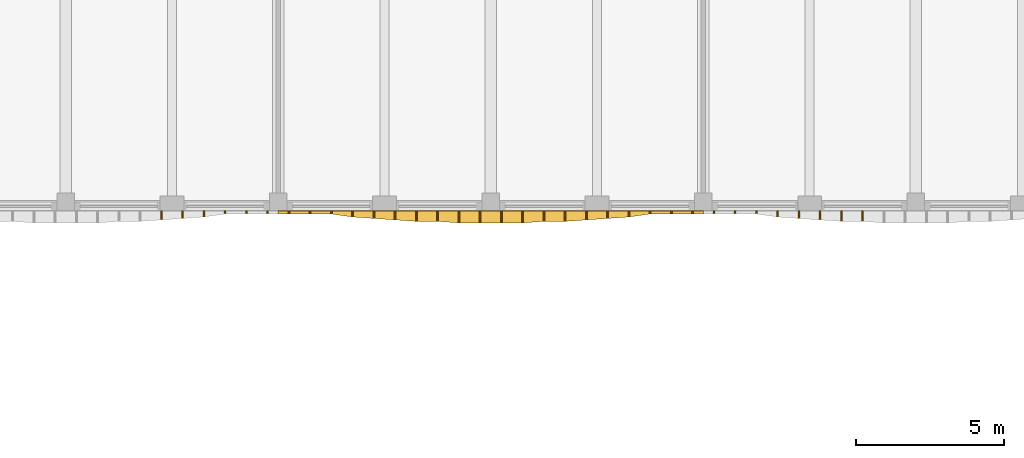
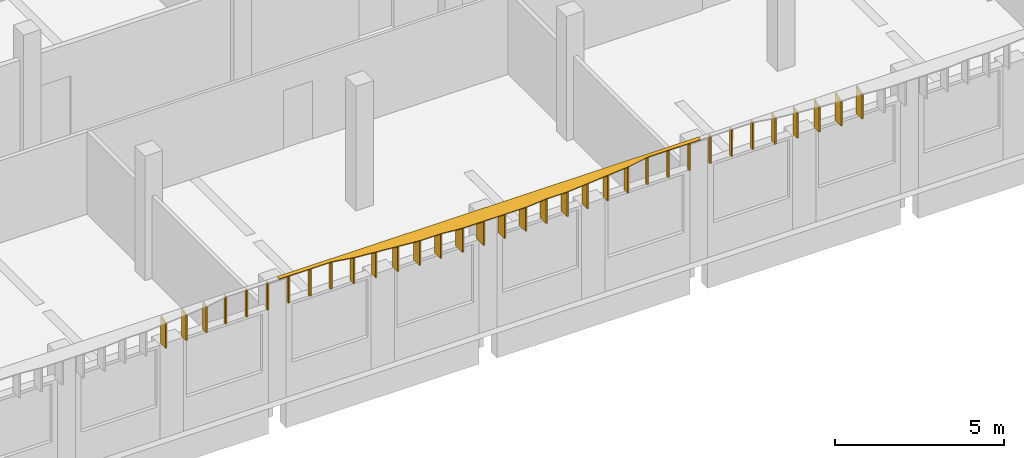
# One storey, part 28 of 38: 35 shading devices.
"""IFC4 building model written with IfcOpenShell, lengths in metres."""

from ifc_helpers import new_model, si_unit, direction, frame, origin, place, context, subcontext, project, spatial, polyline, outline, extrude, material, layer, layer_set, type_object, element, save


model = new_model("IFC4")

# Units and contexts
model_context = context("Model", 3, precision=1e-05, world=origin(), true_north=direction((0.0, 1.0)))
body_context = subcontext(model_context, "Body", "Model", "MODEL_VIEW")
ifc_project = project(units=[si_unit("LENGTHUNIT", "METRE"), si_unit("AREAUNIT", "SQUARE_METRE"), si_unit("VOLUMEUNIT", "CUBIC_METRE"), si_unit("PLANEANGLEUNIT", "RADIAN"), si_unit("MASSUNIT", "GRAM", prefix="KILO")], contexts=[model_context])

# Site, building, storey
site_placement = place(None, origin())
site = spatial("IfcSite", under=ifc_project, at=site_placement, CompositionType="ELEMENT")
building_placement = place(site_placement, origin())
building = spatial("IfcBuilding", under=site, at=building_placement, Name="Ussher Court Research Institute", CompositionType="ELEMENT")
storey_placement = place(building_placement, frame((0.0, 0.0, 23.39990234375)))
storey = spatial("IfcBuildingStorey", under=building, at=storey_placement, Name="L05", CompositionType="ELEMENT", Elevation=23.39990234375)

# Shading devices
ifc_material_1 = material(Name="Bronze anodised aluminium", Category="aluminium")
ifc_layer_1 = layer(ifc_material_1, 0.050048828125)
ifc_layer_set_1 = layer_set([ifc_layer_1], Name="Bronze anodised aluminium")
shading_device_type_1 = type_object("IfcShadingDeviceType", Name="Brim blade 100 mm deep 1000 mm high canted 20 deg dry", PredefinedType="USERDEFINED", material=ifc_layer_set_1)
for number, where, z_axis, x_axis, name in (
    (1, (55.199951171875, 68.39990234375, 3.4501953125), (0.0, 0.0, 1.0), (0.0, -1.0, 0.0), "Brim blade BS17 L05"),
    (2, (54.47998046875, 68.39990234375, 3.4501953125), (0.0, 0.0, 1.0), (0.0, -1.0, 0.0), "Brim blade BS17 L05"),
    (3, (53.760009765625, 68.39990234375, 3.4501953125), (0.0, 0.0, 1.0), (0.0, -1.0, 0.0), "Brim blade BS17 L05"),
    (4, (53.0400390625, 68.39990234375, 3.4501953125), (0.0, 0.0, 1.0), (0.0, -1.0, 0.0), "Brim blade BS17 L05"),
    (5, (52.320068359375, 68.39990234375, 3.4501953125), (0.0, 0.0, 1.0), (0.0, -1.0, 0.0), "Brim blade BS17 L05"),
    (6, (51.60009765625, 68.39990234375, 3.4501953125), (0.0, 0.0, 1.0), (0.0, -1.0, 0.0), "Brim blade BS17 L05"),
    (7, (40.800048828125, 68.39990234375, 3.4501953125), (0.0, 0.0, 1.0), (0.0, -1.0, 0.0), "Brim blade BS17 L05"),
    (8, (40.080078125, 68.39990234375, 3.4501953125), (0.0, 0.0, 1.0), (0.0, -1.0, 0.0), "Brim blade BS17 L05"),
    (9, (39.360107421875, 68.39990234375, 3.4501953125), (0.0, 0.0, 1.0), (0.0, -1.0, 0.0), "Brim blade BS17 L05"),
    (10, (38.639892578125, 68.39990234375, 3.4501953125), (0.0, 0.0, 1.0), (0.0, -1.0, 0.0), "Brim blade BS17 L05"),
    (11, (37.919921875, 68.39990234375, 3.4501953125), (0.0, 0.0, 1.0), (0.0, -1.0, 0.0), "Brim blade BS17 L05"),
    (12, (37.199951171875, 68.39990234375, 3.4501953125), (0.0, 0.0, 1.0), (0.0, -1.0, 0.0), "Brim blade BS17 L05"),
):
    element("IfcShadingDevice", number, at=place(storey_placement, frame(where, z_axis=z_axis, x_axis=x_axis)), inside=storey, type_object=shading_device_type_1, Name=name, ObjectType="BLADE", PredefinedType="USERDEFINED", context=body_context, shape_type="SweptSolid", body=[
        extrude(outline(polyline([(0.0, 0.0), (0.099853515625, 0.0), (0.10009765625, 0.963623046875), (0.0, 1.0), (0.0, 0.0)])), frame((0.0, 0.02490234375, 0.0), z_axis=(0.0, -1.0, 0.0), x_axis=(1.0, 0.0, 0.0)), (0.0, 0.0, 1.0), 0.050048828125),
    ])
ifc_material_2 = material(Name="Bronze anodised aluminium", Category="aluminium")
ifc_layer_2 = layer(ifc_material_2, 0.050048828125)
ifc_layer_set_2 = layer_set([ifc_layer_2], Name="Bronze anodised aluminium")
shading_device_type_2 = type_object("IfcShadingDeviceType", Name="Brim blade 200 mm deep 1000 mm high canted 20 deg dry", PredefinedType="USERDEFINED", material=ifc_layer_set_2)
for number, where, z_axis, x_axis, name in (
    (13, (55.919921875, 68.39990234375, 3.4501953125), (0.0, 0.0, 1.0), (0.0, -1.0, 0.0), "Brim blade BS15 L05"),
    (14, (50.8798828125, 68.39990234375, 3.4501953125), (0.0, 0.0, 1.0), (0.0, -1.0, 0.0), "Brim blade BS15 L05"),
    (15, (41.52001953125, 68.39990234375, 3.4501953125), (0.0, 0.0, 1.0), (0.0, -1.0, 0.0), "Brim blade BS15 L05"),
    (16, (36.47998046875, 68.39990234375, 3.4501953125), (0.0, 0.0, 1.0), (0.0, -1.0, 0.0), "Brim blade BS15 L05"),
):
    element("IfcShadingDevice", number, at=place(storey_placement, frame(where, z_axis=z_axis, x_axis=x_axis)), inside=storey, type_object=shading_device_type_2, Name=name, ObjectType="BLADE", PredefinedType="USERDEFINED", context=body_context, shape_type="SweptSolid", body=[
        extrude(outline(polyline([(0.0, 0.0), (0.199951171875, 0.0), (0.199951171875, 0.927001953125), (0.0, 1.0), (0.0, 0.0)])), frame((0.0, 0.02490234375, 0.0), z_axis=(0.0, -1.0, 0.0), x_axis=(1.0, 0.0, 0.0)), (0.0, 0.0, 1.0), 0.050048828125),
    ])
ifc_material_3 = material(Name="Bronze anodised aluminium", Category="aluminium")
ifc_layer_3 = layer(ifc_material_3, 0.050048828125)
ifc_layer_set_3 = layer_set([ifc_layer_3], Name="Bronze anodised aluminium")
shading_device_type_3 = type_object("IfcShadingDeviceType", Name="Brim blade 250 mm deep 1000 mm high canted 20 deg dry", PredefinedType="USERDEFINED", material=ifc_layer_set_3)
for number, where, z_axis, x_axis, name in (
    (17, (56.639892578125, 68.39990234375, 3.4501953125), (0.0, 0.0, 1.0), (0.0, -1.0, 0.0), "Brim blade BS14 L05"),
    (18, (50.159912109375, 68.39990234375, 3.4501953125), (0.0, 0.0, 1.0), (0.0, -1.0, 0.0), "Brim blade BS14 L05"),
    (19, (42.239990234375, 68.39990234375, 3.4501953125), (0.0, 0.0, 1.0), (0.0, -1.0, 0.0), "Brim blade BS14 L05"),
    (20, (35.760009765625, 68.39990234375, 3.4501953125), (0.0, 0.0, 1.0), (0.0, -1.0, 0.0), "Brim blade BS14 L05"),
):
    element("IfcShadingDevice", number, at=place(storey_placement, frame(where, z_axis=z_axis, x_axis=x_axis)), inside=storey, type_object=shading_device_type_3, Name=name, ObjectType="BLADE", PredefinedType="USERDEFINED", context=body_context, shape_type="SweptSolid", body=[
        extrude(outline(polyline([(0.0, 0.0), (0.25, 0.0), (0.25, 0.908935546875), (0.0, 1.0), (0.0, 0.0)])), frame((0.0, 0.02490234375, 0.0), z_axis=(0.0, -1.0, 0.0), x_axis=(1.0, 0.0, 0.0)), (0.0, 0.0, 1.0), 0.050048828125),
    ])
ifc_material_4 = material(Name="Bronze anodised aluminium", Category="aluminium")
ifc_layer_4 = layer(ifc_material_4, 0.050048828125)
ifc_layer_set_4 = layer_set([ifc_layer_4], Name="Bronze anodised aluminium")
shading_device_type_4 = type_object("IfcShadingDeviceType", Name="Brim blade 300 mm deep 1000 mm high canted 20 deg dry", PredefinedType="USERDEFINED", material=ifc_layer_set_4)
for number, where, z_axis, x_axis, name in (
    (21, (57.360107421875, 68.39990234375, 3.4501953125), (0.0, 0.0, 1.0), (0.0, -1.0, 0.0), "Brim blade BS13 L05"),
    (22, (49.43994140625, 68.39990234375, 3.4501953125), (0.0, 0.0, 1.0), (0.0, -1.0, 0.0), "Brim blade BS13 L05"),
    (23, (42.9599609375, 68.39990234375, 3.4501953125), (0.0, 0.0, 1.0), (0.0, -1.0, 0.0), "Brim blade BS13 L05"),
    (24, (35.0400390625, 68.39990234375, 3.4501953125), (0.0, 0.0, 1.0), (0.0, -1.0, 0.0), "Brim blade BS13 L05"),
):
    element("IfcShadingDevice", number, at=place(storey_placement, frame(where, z_axis=z_axis, x_axis=x_axis)), inside=storey, type_object=shading_device_type_4, Name=name, ObjectType="BLADE", PredefinedType="USERDEFINED", context=body_context, shape_type="SweptSolid", body=[
        extrude(outline(polyline([(0.0, 0.0), (0.2998046875, 0.0), (0.300048828125, 0.890625), (0.0, 1.0), (0.0, 0.0)])), frame((0.0, 0.02490234375, 0.0), z_axis=(0.0, -1.0, 0.0), x_axis=(1.0, 0.0, 0.0)), (0.0, 0.0, 1.0), 0.050048828125),
    ])
ifc_material_5 = material(Name="Bronze anodised aluminium", Category="aluminium")
ifc_layer_5 = layer(ifc_material_5, 0.050048828125)
ifc_layer_set_5 = layer_set([ifc_layer_5], Name="Bronze anodised aluminium")
shading_device_type_5 = type_object("IfcShadingDeviceType", Name="Brim blade 350 mm deep 1000 mm high canted 20 deg dry", PredefinedType="USERDEFINED", material=ifc_layer_set_5)
for number, where, z_axis, x_axis, name in (
    (25, (58.800048828125, 68.39990234375, 3.4501953125), (0.0, 0.0, 1.0), (0.0, -1.0, 0.0), "Brim blade BS12 L05"),
    (26, (58.080078125, 68.39990234375, 3.4501953125), (0.0, 0.0, 1.0), (0.0, -1.0, 0.0), "Brim blade BS12 L05"),
    (27, (48.719970703125, 68.39990234375, 3.4501953125), (0.0, 0.0, 1.0), (0.0, -1.0, 0.0), "Brim blade BS12 L05"),
    (28, (48.0, 68.39990234375, 3.4501953125), (0.0, 0.0, 1.0), (0.0, -1.0, 0.0), "Brim blade BS12 L05"),
    (29, (44.39990234375, 68.39990234375, 3.4501953125), (0.0, 0.0, 1.0), (0.0, -1.0, 0.0), "Brim blade BS12 L05"),
    (30, (43.679931640625, 68.39990234375, 3.4501953125), (0.0, 0.0, 1.0), (0.0, -1.0, 0.0), "Brim blade BS12 L05"),
):
    element("IfcShadingDevice", number, at=place(storey_placement, frame(where, z_axis=z_axis, x_axis=x_axis)), inside=storey, type_object=shading_device_type_5, Name=name, ObjectType="BLADE", PredefinedType="USERDEFINED", context=body_context, shape_type="SweptSolid", body=[
        extrude(outline(polyline([(0.0, 0.0), (0.349853515625, 0.0), (0.35009765625, 0.87255859375), (0.0, 1.0), (0.0, 0.0)])), frame((0.0, 0.02490234375, 0.0), z_axis=(0.0, -1.0, 0.0), x_axis=(1.0, 0.0, 0.0)), (0.0, 0.0, 1.0), 0.050048828125),
    ])
ifc_material_6 = material(Name="Bronze anodised aluminium", Category="aluminium")
ifc_layer_6 = layer(ifc_material_6, 0.050048828125)
ifc_layer_set_6 = layer_set([ifc_layer_6], Name="Bronze anodised aluminium")
shading_device_type_6 = type_object("IfcShadingDeviceType", Name="Brim blade 400 mm deep 1000 mm high canted 20 deg dry", PredefinedType="USERDEFINED", material=ifc_layer_set_6)
for number, where, z_axis, x_axis, name in (
    (31, (47.280029296875, 68.39990234375, 3.4501953125), (0.0, 0.0, 1.0), (0.0, -1.0, 0.0), "Brim blade BS11 L05"),
    (32, (46.56005859375, 68.39990234375, 3.4501953125), (0.0, 0.0, 1.0), (0.0, -1.0, 0.0), "Brim blade BS11 L05"),
    (33, (45.840087890625, 68.39990234375, 3.4501953125), (0.0, 0.0, 1.0), (0.0, -1.0, 0.0), "Brim blade BS11 L05"),
    (34, (45.1201171875, 68.39990234375, 3.4501953125), (0.0, 0.0, 1.0), (0.0, -1.0, 0.0), "Brim blade BS11 L05"),
):
    element("IfcShadingDevice", number, at=place(storey_placement, frame(where, z_axis=z_axis, x_axis=x_axis)), inside=storey, type_object=shading_device_type_6, Name=name, ObjectType="BLADE", PredefinedType="USERDEFINED", context=body_context, shape_type="SweptSolid", body=[
        extrude(outline(polyline([(0.0, 0.0), (0.39990234375, 0.0), (0.39990234375, 0.854248046875), (0.0, 1.0), (0.0, 0.0)])), frame((0.0, 0.02490234375, 0.0), z_axis=(0.0, -1.0, 0.0), x_axis=(1.0, 0.0, 0.0)), (0.0, 0.0, 1.0), 0.050048828125),
    ])
ifc_material_7 = material(Name="Bronze anodised aluminium", Category="aluminium")
ifc_layer_7 = layer(ifc_material_7, 0.0400390625)
ifc_layer_set_7 = layer_set([ifc_layer_7], Name="Bronze anodised aluminium")
shading_device_type_7 = type_object("IfcShadingDeviceType", Name="Brim visor sheet 40 mm canted 20 deg dry", PredefinedType="USERDEFINED", material=ifc_layer_set_7)
shading_device_placement = place(storey_placement, frame((53.39990234375, 68.38623046875, 4.48779296875), z_axis=(0.0, -0.342400477754, 0.939554103197), x_axis=(-1.0, 0.0, 0.0)))
element("IfcShadingDevice", 35, at=shading_device_placement, inside=storey, type_object=shading_device_type_7, Name="Brim visor sheet BR2 L05", ObjectType="BRIM", PredefinedType="USERDEFINED", context=body_context, shape_type="SweptSolid", body=[
    extrude(outline(polyline([(0.0, 0.0), (14.39990234375, 0.0), (14.39990234375, 0.10627326645332352), (14.039794921875, 0.10627326645332352), (13.31982421875, 0.10627326645332352), (12.599853515625, 0.10627326645332352), (11.8798828125, 0.21285951009926202), (11.159912109375, 0.26606903805559207), (10.43994140625, 0.31936215987856126), (9.719970703125, 0.3723423045089156), (9.0, 0.3723423045089156), (8.27978515625, 0.42563542633188484), (7.559814453125, 0.42563542633188484), (6.83984375, 0.42563542633188484), (6.119873046875, 0.42563542633188484), (5.39990234375, 0.3723423045089156), (4.679931640625, 0.3723423045089156), (3.9599609375, 0.31936215987856126), (3.239990234375, 0.26606903805559207), (2.52001953125, 0.21285951009926202), (1.7998046875, 0.10627326645332352), (1.079833984375, 0.10627326645332352), (0.35986328125, 0.10627326645332352), (0.0, 0.10627326645332352), (0.0, 0.0)])), origin(), (0.0, 0.0, -1.0), 0.0400390625),
])

save(model, "model.ifc")
